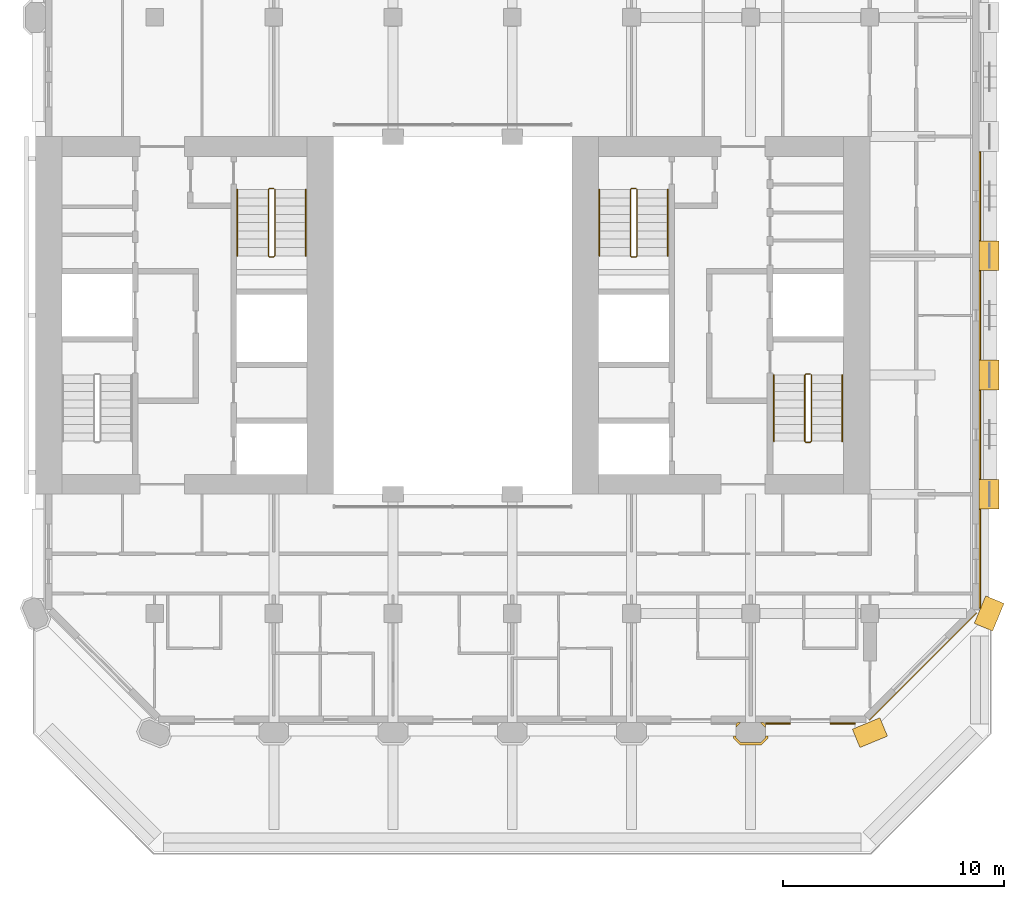
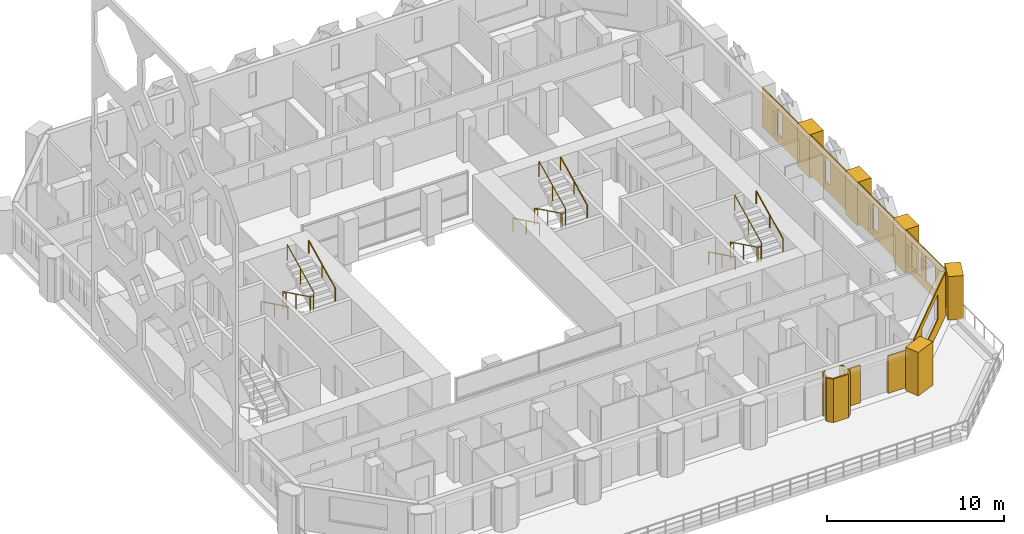
# One storey, part 16 of 17: 15 coverings, 9 railings.
"""IFC4 building model written with IfcOpenShell, lengths in metres."""

from ifc_helpers import new_model, si_unit, direction, frame, frame_2d, origin, origin_2d, place, context, subcontext, project, spatial, polyline, rectangle, circle, outline, extrude, material, layer, layer_set, type_object, element, save


model = new_model("IFC4")

# Units and contexts
model_context = context("Model", 3, precision=1e-05, world=origin(), true_north=direction((0.0, 1.0)))
body_context = subcontext(model_context, "Body", "Model", "MODEL_VIEW")
ifc_project = project(units=[si_unit("LENGTHUNIT", "METRE"), si_unit("AREAUNIT", "SQUARE_METRE"), si_unit("VOLUMEUNIT", "CUBIC_METRE"), si_unit("PLANEANGLEUNIT", "RADIAN"), si_unit("MASSUNIT", "GRAM", prefix="KILO")], contexts=[model_context])

# Site, building, storey
site_placement = place(None, origin())
site = spatial("IfcSite", under=ifc_project, at=site_placement, CompositionType="ELEMENT")
building_placement = place(site_placement, origin())
building = spatial("IfcBuilding", under=site, at=building_placement, Name="Tabaq Tower and Sports Hall", CompositionType="ELEMENT")
storey_placement = place(building_placement, frame((0.0, 0.0, 180.699951171875)))
storey = spatial("IfcBuildingStorey", under=building, at=storey_placement, Name="L43", CompositionType="ELEMENT", Elevation=180.699951171875)

# Coverings
ifc_material_1 = material(Name="Precast concrete C60/75", Category="concrete")
ifc_layer_1 = layer(ifc_material_1, 0.10009765625)
ifc_layer_set_1 = layer_set([ifc_layer_1], Name="Column cladding 100")
covering_type_1 = type_object("IfcCoveringType", Name="Column cladding 100", PredefinedType="CLADDING", material=ifc_layer_set_1)
covering_1_placement = place(storey_placement, origin())
element("IfcCovering", 1, at=covering_1_placement, inside=storey, type_object=covering_type_1, Name="Column cladding L43 PC-8B-H2", PredefinedType="CLADDING", context=body_context, shape_type="SweptSolid", body=[
    extrude(outline(polyline([(37.025634765625, 5.24951171875), (37.12451171875, 5.24951171875), (37.12451171875, 5.1748046875), (37.349853515625, 4.949462890625), (38.250244140625, 4.949462890625), (38.4755859375, 5.1748046875), (38.4755859375, 5.24951171875), (38.574462890625, 5.24951171875), (38.574462890625, 5.1337890625), (38.291259765625, 4.8505859375), (37.308837890625, 4.8505859375), (37.025634765625, 5.1337890625), (37.025634765625, 5.24951171875)])), origin(), (0.0, 0.0, 1.0), 3.0),
])
covering_2_placement = place(storey_placement, origin())
element("IfcCovering", 2, at=covering_2_placement, inside=storey, type_object=covering_type_1, Name="Column cladding L43 PC-8B-H2 2", PredefinedType="CLADDING", context=body_context, shape_type="SweptSolid", body=[
    extrude(outline(polyline([(37.208740234375, 5.849609375), (37.349365234375, 5.849609375), (37.125244140625, 5.625732421875), (37.125244140625, 5.766357421875), (37.208740234375, 5.849609375)])), origin(), (0.0, 0.0, 1.0), 3.0),
])
covering_3_placement = place(storey_placement, origin())
element("IfcCovering", 3, at=covering_3_placement, inside=storey, type_object=covering_type_1, Name="Column cladding L43 PC-8B-H2 3", PredefinedType="CLADDING", context=body_context, shape_type="SweptSolid", body=[
    extrude(outline(polyline([(38.474365234375, 5.62646484375), (38.25146484375, 5.849365234375), (38.39111328125, 5.849365234375), (38.474365234375, 5.76611328125), (38.474365234375, 5.62646484375)])), origin(), (0.0, 0.0, 1.0), 3.0),
])
ifc_material_2 = material(Name="White precast concrete C60/75", Category="concrete")
covering_type_2 = type_object("IfcCoveringType", Name="Pier cladding hung 1350x900", PredefinedType="CLADDING", material=ifc_material_2)
for number, where, z_axis, x_axis, name in (
    (4, (42.576416015625, 5.1416015625, 0.0), (0.0, 0.0, 1.0), (0.923893411637, 0.382649923473, 0.0), "Hung pier cladding 8/1"),
    (5, (48.341796875, 10.17626953125, 0.0), (0.0, 0.0, 1.0), (0.382649923473, 0.923893411637, 0.0), "Hung pier cladding 9/2"),
    (6, (48.60009765625, 15.52490234375, 0.0), (0.0, 0.0, 1.0), (0.0, 1.0, 0.0), "Hung pier cladding 9/3"),
):
    element("IfcCovering", number, at=place(storey_placement, frame(where, z_axis=z_axis, x_axis=x_axis)), inside=storey, type_object=covering_type_2, Name=name, PredefinedType="CLADDING", context=body_context, shape_type="SweptSolid", body=[
        extrude(rectangle(XDim=1.35009765625, YDim=0.89990234375, at=frame_2d((0.675048828125, 0.0))), origin(), (0.0, 0.0, 1.0), 3.0),
    ])
covering_4_placement = place(storey_placement, frame((48.60009765625, 20.925048828125, 0.0), z_axis=(0.0, 0.0, 1.0), x_axis=(0.0, 1.0, 0.0)))
element("IfcCovering", 7, at=covering_4_placement, inside=storey, type_object=covering_type_2, Name="Hung pier cladding 9/4", PredefinedType="CLADDING", context=body_context, shape_type="SweptSolid", body=[
    extrude(rectangle(XDim=1.349853515625, YDim=0.89990234375, at=frame_2d((0.6748046875, 0.0))), origin(), (0.0, 0.0, 1.0), 3.0),
])
covering_5_placement = place(storey_placement, frame((48.60009765625, 26.324951171875, 0.0), z_axis=(0.0, 0.0, 1.0), x_axis=(0.0, 1.0, 0.0)))
element("IfcCovering", 8, at=covering_5_placement, inside=storey, type_object=covering_type_2, Name="Hung pier cladding 9/5", PredefinedType="CLADDING", context=body_context, shape_type="SweptSolid", body=[
    extrude(rectangle(XDim=1.35009765625, YDim=0.89990234375, at=frame_2d((0.675048828125, 0.0))), origin(), (0.0, 0.0, 1.0), 3.0),
])

# Railings
ifc_material_3 = material(Name="Stainless steel", Category="steel")
railing_type_1 = type_object("IfcRailingType", Name="Stair guard", PredefinedType="GUARDRAIL", material=ifc_material_3)
railing_1_placement = place(storey_placement, frame((16.199951171875, 30.050048828125, 0.0)))
element("IfcRailing", 9, at=railing_1_placement, inside=storey, type_object=railing_type_1, Name="L43 ST2 stair guard 1", PredefinedType="GUARDRAIL", context=body_context, shape_type="SweptSolid", body=[
    extrude(circle(Radius=0.02392578125, at=origin_2d()), frame((0.0, 0.0, 1.076171875), z_axis=(-1.0, 0.0, 0.0), x_axis=(0.0, -1.0, 0.0)), (0.0, 0.0, 1.0), 0.199951171875),
    extrude(circle(Radius=0.02392578125, at=origin_2d()), frame((-0.199951171875, 0.0, 1.076171875), z_axis=(-0.254653276557, -0.254653276557, 0.932900539971), x_axis=(0.707106781187, -0.707106781187, 0.0)), (0.0, 0.0, 1.0), 0.196533203125),
    extrude(circle(Radius=0.02392578125, at=origin_2d()), frame((-0.25, -0.050048828125, 1.25927734375), z_axis=(0.0, -0.898368975038, 0.439241601728), x_axis=(1.0, 0.0, 0.0)), (0.0, 0.0, 1.0), 3.33935546875),
    extrude(circle(Radius=0.02392578125, at=origin_2d()), frame((-0.25, -3.050048828125, 2.72607421875), z_axis=(0.707106781187, -0.707106781187, 0.0), x_axis=(0.707106781187, 0.707106781187, 0.0)), (0.0, 0.0, 1.0), 0.07080078125),
    extrude(circle(Radius=0.02392578125, at=origin_2d()), frame((-0.199951171875, -3.10009765625, 2.72607421875), z_axis=(1.0, 0.0, 0.0), x_axis=(0.0, 1.0, 0.0)), (0.0, 0.0, 1.0), 0.199951171875),
    extrude(circle(Radius=0.02392578125, at=origin_2d()), frame((0.0, -3.10009765625, 2.72607421875), z_axis=(0.254653276557, 0.254653276557, 0.932900539971), x_axis=(-0.707106781187, 0.707106781187, 0.0)), (0.0, 0.0, 1.0), 0.196533203125),
    extrude(circle(Radius=0.02392578125, at=origin_2d()), frame((0.050048828125, -3.050048828125, 2.90966796875), z_axis=(0.0, 0.898397823093, 0.439182594671), x_axis=(-1.0, 0.0, 0.0)), (0.0, 0.0, 1.0), 3.33935546875),
    extrude(circle(Radius=0.02099609375, at=origin_2d()), origin(), (0.0, 0.0, 1.0), 1.052001953125),
    extrude(circle(Radius=0.02099609375, at=origin_2d()), frame((-0.199951171875, 0.0, 0.0)), (0.0, 0.0, 1.0), 1.052001953125),
    extrude(circle(Radius=0.02099609375, at=origin_2d()), frame((-0.25, -0.050048828125, 0.183349609375)), (0.0, 0.0, 1.0), 1.052001953125),
    extrude(circle(Radius=0.02099609375, at=origin_2d()), frame((-0.25, -1.550048828125, 0.916748046875)), (0.0, 0.0, 1.0), 1.052001953125),
    extrude(circle(Radius=0.02099609375, at=origin_2d()), frame((-0.25, -3.050048828125, 1.650146484375)), (0.0, 0.0, 1.0), 1.052001953125),
    extrude(circle(Radius=0.02099609375, at=origin_2d()), frame((-0.199951171875, -3.10009765625, 1.650146484375)), (0.0, 0.0, 1.0), 1.052001953125),
    extrude(circle(Radius=0.02099609375, at=origin_2d()), frame((0.0, -3.10009765625, 1.650146484375)), (0.0, 0.0, 1.0), 1.052001953125),
    extrude(circle(Radius=0.02099609375, at=origin_2d()), frame((0.050048828125, -3.050048828125, 1.83349609375)), (0.0, 0.0, 1.0), 1.052001953125),
    extrude(circle(Radius=0.02099609375, at=origin_2d()), frame((0.050048828125, -1.550048828125, 2.56689453125)), (0.0, 0.0, 1.0), 1.052001953125),
    extrude(circle(Radius=0.02099609375, at=origin_2d()), frame((0.050048828125, -0.050048828125, 3.300048828125)), (0.0, 0.0, 1.0), 1.052001953125),
])
railing_2_placement = place(storey_placement, frame((40.5, 21.64990234375, 0.0)))
element("IfcRailing", 10, at=railing_2_placement, inside=storey, type_object=railing_type_1, Name="L43 ST3 stair guard 1", PredefinedType="GUARDRAIL", context=body_context, shape_type="SweptSolid", body=[
    extrude(circle(Radius=0.02392578125, at=origin_2d()), frame((0.0, 0.0, 1.076171875), z_axis=(-1.0, 0.0, 0.0), x_axis=(0.0, -1.0, 0.0)), (0.0, 0.0, 1.0), 0.199951171875),
    extrude(circle(Radius=0.02392578125, at=origin_2d()), frame((-0.199951171875, 0.0, 1.076171875), z_axis=(-0.254733673405, -0.25349107012, 0.933195066962), x_axis=(0.705375805398, -0.708833529934, 0.0)), (0.0, 0.0, 1.0), 0.196533203125),
    extrude(circle(Radius=0.02392578125, at=origin_2d()), frame((-0.25, -0.0498046875, 1.25927734375), z_axis=(0.0, -0.898368975038, 0.439241601728), x_axis=(1.0, 0.0, 0.0)), (0.0, 0.0, 1.0), 3.33935546875),
    extrude(circle(Radius=0.02392578125, at=origin_2d()), frame((-0.25, -3.0498046875, 2.72607421875), z_axis=(0.707106781187, -0.707106781187, 0.0), x_axis=(0.707106781187, 0.707106781187, 0.0)), (0.0, 0.0, 1.0), 0.07080078125),
    extrude(circle(Radius=0.02392578125, at=origin_2d()), frame((-0.199951171875, -3.099853515625, 2.72607421875), z_axis=(1.0, 0.0, 0.0), x_axis=(0.0, 1.0, 0.0)), (0.0, 0.0, 1.0), 0.199951171875),
    extrude(circle(Radius=0.02392578125, at=origin_2d()), frame((0.0, -3.099853515625, 2.72607421875), z_axis=(0.254653276557, 0.254653276557, 0.932900539971), x_axis=(-0.707106781187, 0.707106781187, 0.0)), (0.0, 0.0, 1.0), 0.196533203125),
    extrude(circle(Radius=0.02392578125, at=origin_2d()), frame((0.050048828125, -3.0498046875, 2.90966796875), z_axis=(0.0, 0.898397823093, 0.439182594671), x_axis=(-1.0, 0.0, 0.0)), (0.0, 0.0, 1.0), 3.33935546875),
    extrude(circle(Radius=0.02099609375, at=origin_2d()), origin(), (0.0, 0.0, 1.0), 1.052001953125),
    extrude(circle(Radius=0.02099609375, at=origin_2d()), frame((-0.199951171875, 0.0, 0.0)), (0.0, 0.0, 1.0), 1.052001953125),
    extrude(circle(Radius=0.02099609375, at=origin_2d()), frame((-0.25, -0.0498046875, 0.183349609375)), (0.0, 0.0, 1.0), 1.052001953125),
    extrude(circle(Radius=0.02099609375, at=origin_2d()), frame((-0.25, -1.5498046875, 0.916748046875)), (0.0, 0.0, 1.0), 1.052001953125),
    extrude(circle(Radius=0.02099609375, at=origin_2d()), frame((-0.25, -3.0498046875, 1.650146484375)), (0.0, 0.0, 1.0), 1.052001953125),
    extrude(circle(Radius=0.02099609375, at=origin_2d()), frame((-0.199951171875, -3.099853515625, 1.650146484375)), (0.0, 0.0, 1.0), 1.052001953125),
    extrude(circle(Radius=0.02099609375, at=origin_2d()), frame((0.0, -3.099853515625, 1.650146484375)), (0.0, 0.0, 1.0), 1.052001953125),
    extrude(circle(Radius=0.02099609375, at=origin_2d()), frame((0.050048828125, -3.0498046875, 1.83349609375)), (0.0, 0.0, 1.0), 1.052001953125),
    extrude(circle(Radius=0.02099609375, at=origin_2d()), frame((0.050048828125, -1.5498046875, 2.56689453125)), (0.0, 0.0, 1.0), 1.052001953125),
    extrude(circle(Radius=0.02099609375, at=origin_2d()), frame((0.050048828125, -0.0498046875, 3.300048828125)), (0.0, 0.0, 1.0), 1.052001953125),
])
railing_3_placement = place(storey_placement, frame((32.60009765625, 30.050048828125, 0.0)))
element("IfcRailing", 11, at=railing_3_placement, inside=storey, type_object=railing_type_1, Name="L43 ST4 stair guard 1", PredefinedType="GUARDRAIL", context=body_context, shape_type="SweptSolid", body=[
    extrude(circle(Radius=0.02392578125, at=origin_2d()), frame((0.0, 0.0, 1.076171875), z_axis=(-1.0, 0.0, 0.0), x_axis=(0.0, -1.0, 0.0)), (0.0, 0.0, 1.0), 0.2001953125),
    extrude(circle(Radius=0.02392578125, at=origin_2d()), frame((-0.2001953125, 0.0, 1.076171875), z_axis=(-0.25349107012, -0.254733673405, 0.933195066962), x_axis=(0.708833529934, -0.705375805398, 0.0)), (0.0, 0.0, 1.0), 0.196533203125),
    extrude(circle(Radius=0.02392578125, at=origin_2d()), frame((-0.25, -0.050048828125, 1.25927734375), z_axis=(0.0, -0.898368975038, 0.439241601728), x_axis=(1.0, 0.0, 0.0)), (0.0, 0.0, 1.0), 3.33935546875),
    extrude(circle(Radius=0.02392578125, at=origin_2d()), frame((-0.25, -3.050048828125, 2.72607421875), z_axis=(0.705375805398, -0.708833529934, 0.0), x_axis=(0.708833529934, 0.705375805398, 0.0)), (0.0, 0.0, 1.0), 0.070556640625),
    extrude(circle(Radius=0.02392578125, at=origin_2d()), frame((-0.2001953125, -3.10009765625, 2.72607421875), z_axis=(1.0, 0.0, 0.0), x_axis=(0.0, 1.0, 0.0)), (0.0, 0.0, 1.0), 0.2001953125),
    extrude(circle(Radius=0.02392578125, at=origin_2d()), frame((0.0, -3.10009765625, 2.72607421875), z_axis=(0.25349107012, 0.254733673405, 0.933195066962), x_axis=(-0.708833529934, 0.705375805398, 0.0)), (0.0, 0.0, 1.0), 0.196533203125),
    extrude(circle(Radius=0.02392578125, at=origin_2d()), frame((0.0498046875, -3.050048828125, 2.90966796875), z_axis=(0.0, 0.898397823093, 0.439182594671), x_axis=(-1.0, 0.0, 0.0)), (0.0, 0.0, 1.0), 3.33935546875),
    extrude(circle(Radius=0.02099609375, at=origin_2d()), origin(), (0.0, 0.0, 1.0), 1.052001953125),
    extrude(circle(Radius=0.02099609375, at=origin_2d()), frame((-0.2001953125, 0.0, 0.0)), (0.0, 0.0, 1.0), 1.052001953125),
    extrude(circle(Radius=0.02099609375, at=origin_2d()), frame((-0.25, -0.050048828125, 0.183349609375)), (0.0, 0.0, 1.0), 1.052001953125),
    extrude(circle(Radius=0.02099609375, at=origin_2d()), frame((-0.25, -1.550048828125, 0.916748046875)), (0.0, 0.0, 1.0), 1.052001953125),
    extrude(circle(Radius=0.02099609375, at=origin_2d()), frame((-0.25, -3.050048828125, 1.650146484375)), (0.0, 0.0, 1.0), 1.052001953125),
    extrude(circle(Radius=0.02099609375, at=origin_2d()), frame((-0.2001953125, -3.10009765625, 1.650146484375)), (0.0, 0.0, 1.0), 1.052001953125),
    extrude(circle(Radius=0.02099609375, at=origin_2d()), frame((0.0, -3.10009765625, 1.650146484375)), (0.0, 0.0, 1.0), 1.052001953125),
    extrude(circle(Radius=0.02099609375, at=origin_2d()), frame((0.0498046875, -3.050048828125, 1.83349609375)), (0.0, 0.0, 1.0), 1.052001953125),
    extrude(circle(Radius=0.02099609375, at=origin_2d()), frame((0.0498046875, -1.550048828125, 2.56689453125)), (0.0, 0.0, 1.0), 1.052001953125),
    extrude(circle(Radius=0.02099609375, at=origin_2d()), frame((0.0498046875, -0.050048828125, 3.300048828125)), (0.0, 0.0, 1.0), 1.052001953125),
])
ifc_material_4 = material(Name="Stainless steel", Category="steel")
railing_type_2 = type_object("IfcRailingType", Name="Stair handrail", PredefinedType="HANDRAIL", material=ifc_material_4)
railing_4_placement = place(storey_placement, frame((14.550048828125, 30.0, 0.183349609375)))
element("IfcRailing", 12, at=railing_4_placement, inside=storey, type_object=railing_type_2, Name="L43 ST2 stair handrail 1", PredefinedType="HANDRAIL", context=body_context, shape_type="SweptSolid", body=[
    extrude(circle(Radius=0.02392578125, at=origin_2d()), frame((0.0, 0.0, 0.8759765625), z_axis=(0.0, -0.898368975038, 0.439241601728), x_axis=(1.0, 0.0, 0.0)), (0.0, 0.0, 1.0), 3.33935546875),
    extrude(circle(Radius=0.02099609375, at=origin_2d()), origin(), (0.0, 0.0, 1.0), 0.851806640625),
    extrude(circle(Radius=0.02099609375, at=origin_2d()), frame((0.0, -1.5, 0.7333984375)), (0.0, 0.0, 1.0), 0.851806640625),
    extrude(circle(Radius=0.02099609375, at=origin_2d()), frame((0.0, -3.0, 1.466796875)), (0.0, 0.0, 1.0), 0.851806640625),
])
railing_5_placement = place(storey_placement, frame((17.64990234375, 27.0, 1.83349609375)))
element("IfcRailing", 13, at=railing_5_placement, inside=storey, type_object=railing_type_2, Name="L43 ST2 stair handrail 2", PredefinedType="HANDRAIL", context=body_context, shape_type="SweptSolid", body=[
    extrude(circle(Radius=0.02392578125, at=origin_2d()), frame((0.0, 0.0, 0.8759765625), z_axis=(0.0, 0.898397823093, 0.439182594671), x_axis=(-1.0, 0.0, 0.0)), (0.0, 0.0, 1.0), 3.33935546875),
    extrude(circle(Radius=0.02099609375, at=origin_2d()), origin(), (0.0, 0.0, 1.0), 0.851806640625),
    extrude(circle(Radius=0.02099609375, at=origin_2d()), frame((0.0, 1.5, 0.7333984375)), (0.0, 0.0, 1.0), 0.851806640625),
    extrude(circle(Radius=0.02099609375, at=origin_2d()), frame((0.0, 3.0, 1.466552734375)), (0.0, 0.0, 1.0), 0.851806640625),
])
railing_6_placement = place(storey_placement, frame((38.85009765625, 21.60009765625, 0.183349609375)))
element("IfcRailing", 14, at=railing_6_placement, inside=storey, type_object=railing_type_2, Name="L43 ST3 stair handrail 1", PredefinedType="HANDRAIL", context=body_context, shape_type="SweptSolid", body=[
    extrude(circle(Radius=0.02392578125, at=origin_2d()), frame((0.0, 0.0, 0.8759765625), z_axis=(0.0, -0.898368975038, 0.439241601728), x_axis=(1.0, 0.0, 0.0)), (0.0, 0.0, 1.0), 3.33935546875),
    extrude(circle(Radius=0.02099609375, at=origin_2d()), origin(), (0.0, 0.0, 1.0), 0.851806640625),
    extrude(circle(Radius=0.02099609375, at=origin_2d()), frame((0.0, -1.5, 0.7333984375)), (0.0, 0.0, 1.0), 0.851806640625),
    extrude(circle(Radius=0.02099609375, at=origin_2d()), frame((0.0, -3.0, 1.466796875)), (0.0, 0.0, 1.0), 0.851806640625),
])
railing_7_placement = place(storey_placement, frame((41.949951171875, 18.60009765625, 1.83349609375)))
element("IfcRailing", 15, at=railing_7_placement, inside=storey, type_object=railing_type_2, Name="L43 ST3 stair handrail 2", PredefinedType="HANDRAIL", context=body_context, shape_type="SweptSolid", body=[
    extrude(circle(Radius=0.02392578125, at=origin_2d()), frame((0.0, 0.0, 0.8759765625), z_axis=(0.0, 0.898397823093, 0.439182594671), x_axis=(-1.0, 0.0, 0.0)), (0.0, 0.0, 1.0), 3.33935546875),
    extrude(circle(Radius=0.02099609375, at=origin_2d()), origin(), (0.0, 0.0, 1.0), 0.851806640625),
    extrude(circle(Radius=0.02099609375, at=origin_2d()), frame((0.0, 1.5, 0.7333984375)), (0.0, 0.0, 1.0), 0.851806640625),
    extrude(circle(Radius=0.02099609375, at=origin_2d()), frame((0.0, 3.0, 1.466552734375)), (0.0, 0.0, 1.0), 0.851806640625),
])
railing_8_placement = place(storey_placement, frame((30.949951171875, 30.0, 0.183349609375)))
element("IfcRailing", 16, at=railing_8_placement, inside=storey, type_object=railing_type_2, Name="L43 ST4 stair handrail 1", PredefinedType="HANDRAIL", context=body_context, shape_type="SweptSolid", body=[
    extrude(circle(Radius=0.02392578125, at=origin_2d()), frame((0.0, 0.0, 0.8759765625), z_axis=(0.0, -0.898368975038, 0.439241601728), x_axis=(1.0, 0.0, 0.0)), (0.0, 0.0, 1.0), 3.33935546875),
    extrude(circle(Radius=0.02099609375, at=origin_2d()), origin(), (0.0, 0.0, 1.0), 0.851806640625),
    extrude(circle(Radius=0.02099609375, at=origin_2d()), frame((0.0, -1.5, 0.7333984375)), (0.0, 0.0, 1.0), 0.851806640625),
    extrude(circle(Radius=0.02099609375, at=origin_2d()), frame((0.0, -3.0, 1.466796875)), (0.0, 0.0, 1.0), 0.851806640625),
])
railing_9_placement = place(storey_placement, frame((34.050048828125, 27.0, 1.83349609375)))
element("IfcRailing", 17, at=railing_9_placement, inside=storey, type_object=railing_type_2, Name="L43 ST4 stair handrail 2", PredefinedType="HANDRAIL", context=body_context, shape_type="SweptSolid", body=[
    extrude(circle(Radius=0.02392578125, at=origin_2d()), frame((0.0, 0.0, 0.8759765625), z_axis=(0.0, 0.898397823093, 0.439182594671), x_axis=(-1.0, 0.0, 0.0)), (0.0, 0.0, 1.0), 3.33935546875),
    extrude(circle(Radius=0.02099609375, at=origin_2d()), origin(), (0.0, 0.0, 1.0), 0.851806640625),
    extrude(circle(Radius=0.02099609375, at=origin_2d()), frame((0.0, 1.5, 0.7333984375)), (0.0, 0.0, 1.0), 0.851806640625),
    extrude(circle(Radius=0.02099609375, at=origin_2d()), frame((0.0, 3.0, 1.466552734375)), (0.0, 0.0, 1.0), 0.851806640625),
])

# Coverings
ifc_material_5 = material(Name="Precast concrete C60/75", Category="concrete")
ifc_layer_2 = layer(ifc_material_5, 0.06005859375)
ifc_layer_set_2 = layer_set([ifc_layer_2], Name="White precast cladding panel 60 C60/75")
covering_type_3 = type_object("IfcCoveringType", Name="White precast cladding panel 60 C60/75", PredefinedType="CLADDING", material=ifc_layer_set_2)
covering_6_placement = place(storey_placement, frame((38.485107421875, 5.820068359375, 0.0), z_axis=(0.0, 0.0, 1.0), x_axis=(1.0, 0.0, 0.0)))
element("IfcCovering", 18, at=covering_6_placement, inside=storey, type_object=covering_type_3, Name="White precast cladding panel L43 wall00 9", PredefinedType="CLADDING", context=body_context, shape_type="SweptSolid", body=[
    extrude(rectangle(XDim=1.10498046875, YDim=0.06005859375, at=frame_2d((0.552490234375, 0.0))), origin(), (0.0, 0.0, 1.0), 2.590087890625),
])
covering_7_placement = place(storey_placement, frame((41.409912109375, 5.820068359375, 0.0), z_axis=(0.0, 0.0, 1.0), x_axis=(1.0, 0.0, 0.0)))
element("IfcCovering", 19, at=covering_7_placement, inside=storey, type_object=covering_type_3, Name="White precast cladding panel L43 wall00 10", PredefinedType="CLADDING", context=body_context, shape_type="SweptSolid", body=[
    extrude(rectangle(XDim=1.125, YDim=0.06005859375, at=frame_2d((0.5625, 0.0))), origin(), (0.0, 0.0, 1.0), 2.590087890625),
])
covering_8_placement = place(storey_placement, frame((43.177734375, 5.9716796875, 0.0), z_axis=(0.0, 0.0, 1.0), x_axis=(0.707106781187, 0.707106781187, 0.0)))
element("IfcCovering", 20, at=covering_8_placement, inside=storey, type_object=covering_type_3, Name="White precast cladding panel L43 wall01", PredefinedType="CLADDING", context=body_context, shape_type="SweptSolid", body=[
    extrude(outline(polyline([(0.0, 0.0), (6.85986328125, 0.0), (6.85986328125, 3.0), (0.0, 3.0), (0.0, 0.0)]), holes=[polyline([(1.7197265625, 0.89013671875), (1.7197265625, 2.610107421875), (5.139892578125, 2.610107421875), (5.139892578125, 0.89013671875), (1.7197265625, 0.89013671875)])]), frame((0.0, 0.030029296875, 0.0), z_axis=(0.0, -1.0, 0.0), x_axis=(1.0, 0.0, 0.0)), (0.0, 0.0, 1.0), 0.06005859375),
])
covering_9_placement = place(storey_placement, frame((48.179931640625, 11.043212890625, 0.31005859375), z_axis=(0.0, 0.0, 1.0), x_axis=(0.0, 1.0, 0.0)))
element("IfcCovering", 21, at=covering_9_placement, inside=storey, type_object=covering_type_3, Name="White precast cladding panel L43 wall02", PredefinedType="CLADDING", context=body_context, shape_type="SweptSolid", body=[
    extrude(outline(polyline([(0.0, 0.0), (4.4716796875, 0.0), (4.4716796875, 2.68994140625), (0.0, 2.68994140625), (0.0, 0.0)]), holes=[polyline([(1.096923828125, 2.300048828125), (2.216796875, 2.300048828125), (2.216796875, 0.580078125), (1.096923828125, 0.580078125), (1.096923828125, 2.300048828125)]), polyline([(2.69677734375, 2.300048828125), (3.81689453125, 2.300048828125), (3.81689453125, 0.580078125), (2.69677734375, 0.580078125), (2.69677734375, 2.300048828125)])]), frame((0.0, 0.030029296875, 0.0), z_axis=(0.0, -1.0, 0.0), x_axis=(1.0, 0.0, 0.0)), (0.0, 0.0, 1.0), 0.06005859375),
])
for number, where, z_axis, x_axis, name in (
    (22, (48.179931640625, 16.885009765625, 0.31005859375), (0.0, 0.0, 1.0), (0.0, 1.0, 0.0), "White precast cladding panel L43 wall02 2"),
    (23, (48.179931640625, 22.284912109375, 0.31005859375), (0.0, 0.0, 1.0), (0.0, 1.0, 0.0), "White precast cladding panel L43 wall02 3"),
    (24, (48.179931640625, 27.68505859375, 0.31005859375), (0.0, 0.0, 1.0), (0.0, 1.0, 0.0), "White precast cladding panel L43 wall02 4"),
):
    element("IfcCovering", number, at=place(storey_placement, frame(where, z_axis=z_axis, x_axis=x_axis)), inside=storey, type_object=covering_type_3, Name=name, PredefinedType="CLADDING", context=body_context, shape_type="SweptSolid", body=[
        extrude(outline(polyline([(0.0, 0.0), (4.030029296875, 0.0), (4.030029296875, 2.68994140625), (0.0, 2.68994140625), (0.0, 0.0)]), holes=[polyline([(1.7548828125, 0.580078125), (1.7548828125, 2.300048828125), (2.27490234375, 2.300048828125), (2.27490234375, 0.580078125), (1.7548828125, 0.580078125)])]), frame((0.0, 0.030029296875, 0.0), z_axis=(0.0, -1.0, 0.0), x_axis=(1.0, 0.0, 0.0)), (0.0, 0.0, 1.0), 0.06005859375),
    ])

save(model, "model.ifc")
